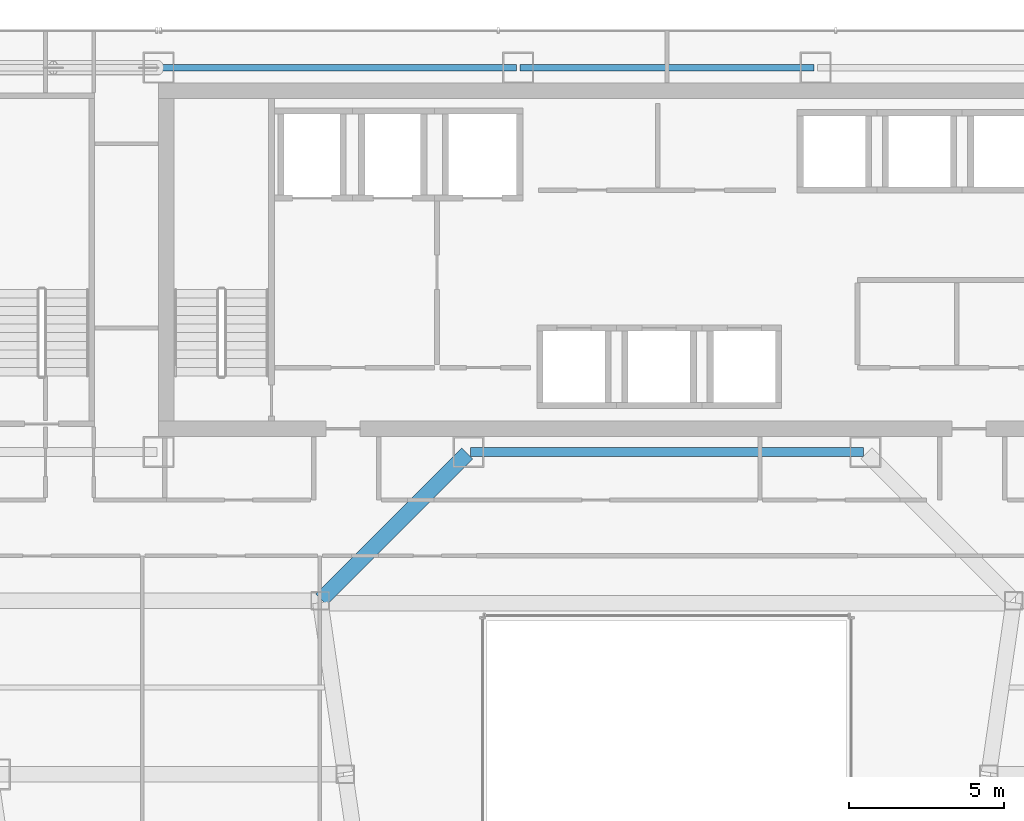
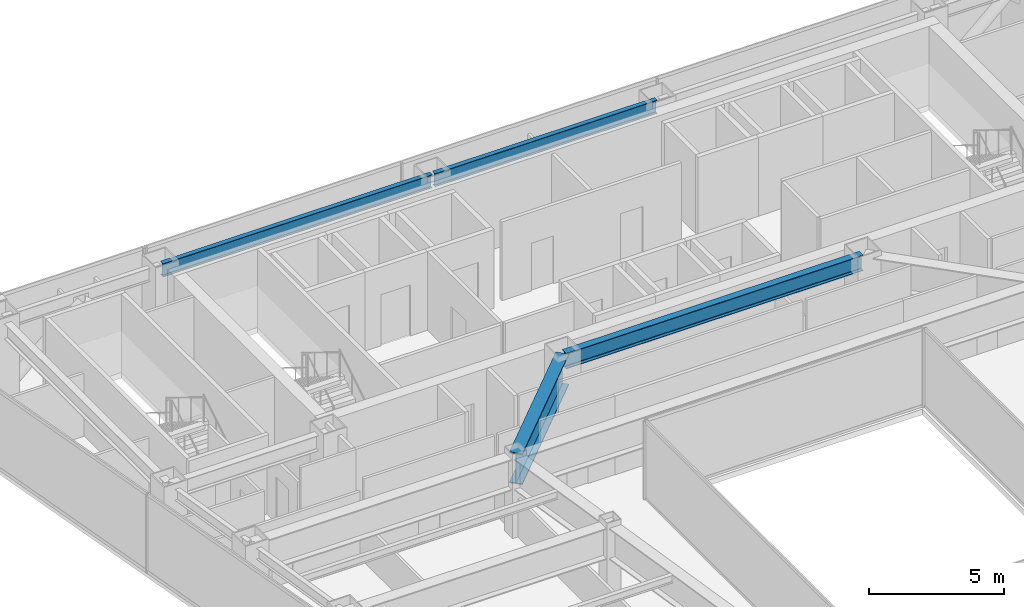
# One storey, part 21 of 37: 4 beams.
"""IFC4 building model written with IfcOpenShell, lengths in metres."""

import ifcopenshell
import ifcopenshell.guid

model = None  # the IFC model being written
_history = None  # IfcOwnerHistory: only IFC2X3 demands one
_inside = {}  # id of a spatial element -> (the spatial element, [elements in it])
_under = {}  # id of a project, library or spatial element -> (it, [spatial elements below it])
_declared = {}  # id of a project -> (the project, [libraries it declares])
_typed = {}  # id of a type object -> (the type object, [elements of that type])
_made_of = {}  # id of a material, layer set ... -> (it, [elements and type objects made of it])


def new_model(schema):
    """Start an empty IFC model of exactly this schema.

    Asked for "IFC4X3", IfcOpenShell would pick the latest addendum, in which some entities
    have other attributes; the version numbers below select the first issue.
    IFC2X3 requires an IfcOwnerHistory on every rooted entity: one is made here for all.
    """
    global model, _history
    if schema == "IFC4X3":
        model = ifcopenshell.file(schema_version=(4, 3, 0, 0))
    else:
        model = ifcopenshell.file(schema=schema)
    _inside.clear()
    _under.clear()
    _declared.clear()
    _typed.clear()
    _made_of.clear()
    _history = None
    if model.schema == "IFC2X3":
        org = make("IfcOrganization", Name="unknown")
        user = make(
            "IfcPersonAndOrganization",
            ThePerson=make("IfcPerson", FamilyName="unknown"),
            TheOrganization=org,
        )
        app = make(
            "IfcApplication",
            ApplicationDeveloper=org,
            Version="unknown",
            ApplicationFullName="unknown",
            ApplicationIdentifier="unknown",
        )
        _history = make(
            "IfcOwnerHistory",
            OwningUser=user,
            OwningApplication=app,
            ChangeAction="ADDED",
            CreationDate=0,
        )
    return model


def make(cls, **values):
    """One entity of the class cls with the attributes given. An attribute that is None is left unset."""
    return model.create_entity(
        cls, **{name: value for name, value in values.items() if value is not None}
    )


def rooted(cls, **values):
    """An entity with a GlobalId (a new one), such as an element, a storey or a relation."""
    return make(cls, GlobalId=ifcopenshell.guid.new(), OwnerHistory=_history, **values)


def si_unit(unit_type, name, prefix=None):
    """IfcSIUnit, for example si_unit("LENGTHUNIT", "METRE", prefix="MILLI")."""
    return make("IfcSIUnit", UnitType=unit_type, Prefix=prefix, Name=name)


def assignment(units):
    """IfcUnitAssignment: the units of a project."""
    return None if units is None else make("IfcUnitAssignment", Units=units)


def point(xyz):
    """IfcCartesianPoint."""
    return None if xyz is None else make("IfcCartesianPoint", Coordinates=xyz)


def direction(xyz):
    """IfcDirection."""
    return None if xyz is None else make("IfcDirection", DirectionRatios=xyz)


def frame(location, z_axis=None, x_axis=None):
    """IfcAxis2Placement3D, a coordinate frame: its origin and axes. An axis left out is left unset."""
    return make(
        "IfcAxis2Placement3D",
        Location=point(location),
        Axis=direction(z_axis),
        RefDirection=direction(x_axis),
    )


def frame_2d(location, x_axis=None):
    """IfcAxis2Placement2D, a coordinate frame in the plane: its origin and x axis."""
    return make(
        "IfcAxis2Placement2D", Location=point(location), RefDirection=direction(x_axis)
    )


def origin():
    """The frame at (0, 0, 0) with its axes left unset."""
    return frame((0.0, 0.0, 0.0))


def origin_2d():
    """The frame at (0, 0) in the plane with its x axis left unset."""
    return frame_2d((0.0, 0.0))


def place(relative_to, where):
    """IfcLocalPlacement: puts the frame where relative to a parent placement (None: the world)."""
    return make(
        "IfcLocalPlacement", PlacementRelTo=relative_to, RelativePlacement=where
    )


def context(
    kind, dimensions, precision=None, world=None, true_north=None, identifier=None
):
    """IfcGeometricRepresentationContext, for example the 3D "Model" context."""
    return make(
        "IfcGeometricRepresentationContext",
        ContextIdentifier=identifier,
        ContextType=kind,
        CoordinateSpaceDimension=dimensions,
        Precision=precision,
        WorldCoordinateSystem=world,
        TrueNorth=true_north,
    )


def subcontext(parent, identifier, kind, view, scale=None):
    """IfcGeometricRepresentationSubContext, for example "Body" below "Model"."""
    return make(
        "IfcGeometricRepresentationSubContext",
        ContextIdentifier=identifier,
        ContextType=kind,
        ParentContext=parent,
        TargetScale=scale,
        TargetView=view,
    )


def project(units=None, contexts=None):
    """IfcProject with its units and contexts."""
    return rooted(
        "IfcProject",
        Name="project",
        RepresentationContexts=contexts,
        UnitsInContext=assignment(units),
    )


def spatial(cls, under=None, at=None, **own):
    """A site, building, storey or space (cls), placed at a placement, below another one or the project."""
    s = rooted(cls, ObjectPlacement=at, **own)
    if under is not None:
        _under.setdefault(under.id(), (under, []))[1].append(s)
    return s


def profile(cls, at=None, kind="AREA", **sizes):
    """A parametric profile (cls). Its sizes go by their IFC names, for example OverallWidth=200.0."""
    return make(cls, ProfileType=kind, Position=at, **sizes)


def i_section(**sizes):
    """IfcIShapeProfileDef."""
    return profile("IfcIShapeProfileDef", **sizes)


def extrude(swept, where, along, depth):
    """IfcExtrudedAreaSolid: the profile swept, set in the frame where, extruded along a direction by depth."""
    return make(
        "IfcExtrudedAreaSolid",
        SweptArea=swept,
        Position=where,
        ExtrudedDirection=direction(along),
        Depth=depth,
    )


def shape(context_of_items, identifier, shape_type, items):
    """IfcShapeRepresentation: the items that make up one representation, for example the "Body"."""
    return make(
        "IfcShapeRepresentation",
        ContextOfItems=context_of_items,
        RepresentationIdentifier=identifier,
        RepresentationType=shape_type,
        Items=items,
    )


def material(Name=None, Category=None):
    """IfcMaterial."""
    return make("IfcMaterial", Name=Name, Category=Category)


def material_profile(
    of_material, cross_section, Name=None, Category=None, Priority=None
):
    """IfcMaterialProfile: a cross section and its material."""
    return make(
        "IfcMaterialProfile",
        Name=Name,
        Material=of_material,
        Profile=cross_section,
        Priority=Priority,
        Category=Category,
    )


def profile_set(profiles, Name=None, composite=None):
    """IfcMaterialProfileSet."""
    return make(
        "IfcMaterialProfileSet",
        Name=Name,
        MaterialProfiles=profiles,
        CompositeProfile=composite,
    )


def made_of(thing, what):
    """Note that an element or type object is made of a material, layer set ...; save() writes the relation."""
    if what is not None:
        _made_of.setdefault(what.id(), (what, []))[1].append(thing)
    return thing


def type_object(cls, material=None, **own):
    """A type object (cls), such as IfcWallType, which elements share."""
    return made_of(rooted(cls, **own), material)


def element(
    cls,
    number,
    at=None,
    inside=None,
    cuts=None,
    type_object=None,
    material=None,
    context=None,
    identifier="Body",
    shape_type=None,
    held_by="IfcProductDefinitionShape",
    body=None,
    shapes=None,
    **own,
):
    """One element of the class cls, such as IfcWall. Its Tag is "e" and its number.

    at: its placement. inside: the storey or other place that contains it. cuts: it is an
    opening in that element (IfcRelVoidsElement). A single representation is given by context,
    identifier, shape_type and body (its items); several are given by shapes. held_by: the class
    of the entity that holds the representations. save() writes the other relations.
    """
    e = rooted(cls, Tag="e%d" % number, ObjectPlacement=at, **own)
    if body is not None:
        shapes = [shape(context, identifier, shape_type, body)]
    if shapes is not None:
        e.Representation = make(held_by, Representations=shapes)
    if inside is not None:
        _inside.setdefault(inside.id(), (inside, []))[1].append(e)
    if cuts is not None:
        rooted(
            "IfcRelVoidsElement", RelatingBuildingElement=cuts, RelatedOpeningElement=e
        )
    if type_object is not None:
        _typed.setdefault(type_object.id(), (type_object, []))[1].append(e)
    return made_of(e, material)


def aggregate(whole, parts):
    """IfcRelAggregates: a whole, such as a stair, and the parts it consists of."""
    return rooted("IfcRelAggregates", RelatingObject=whole, RelatedObjects=parts)


def save(model, path):
    """Write the relations noted so far, then the file.

    IfcRelAggregates (storeys below a building ...), IfcRelContainedInSpatialStructure (elements
    in a storey), IfcRelDefinesByType, IfcRelAssociatesMaterial and IfcRelDeclares: one each for
    every whole, place, type object, material and project.
    """
    for whole, parts in _under.values():
        aggregate(whole, parts)
    for where, things in _inside.values():
        rooted(
            "IfcRelContainedInSpatialStructure",
            RelatedElements=things,
            RelatingStructure=where,
        )
    for kind, things in _typed.values():
        rooted("IfcRelDefinesByType", RelatedObjects=things, RelatingType=kind)
    for what, things in _made_of.values():
        rooted("IfcRelAssociatesMaterial", RelatedObjects=things, RelatingMaterial=what)
    for by, libraries in _declared.values():
        rooted("IfcRelDeclares", RelatingContext=by, RelatedDefinitions=libraries)
    model.write(path)


model = new_model("IFC4")

# Units and contexts
model_context = context("Model", 3, precision=1e-05, world=origin(), true_north=direction((0.0, 1.0)))
body_context = subcontext(model_context, "Body", "Model", "MODEL_VIEW")
ifc_project = project(units=[si_unit("LENGTHUNIT", "METRE"), si_unit("AREAUNIT", "SQUARE_METRE"), si_unit("VOLUMEUNIT", "CUBIC_METRE"), si_unit("PLANEANGLEUNIT", "RADIAN"), si_unit("MASSUNIT", "GRAM", prefix="KILO")], contexts=[model_context])

# Site, building, storey
site_placement = place(None, origin())
site = spatial("IfcSite", under=ifc_project, at=site_placement, CompositionType="ELEMENT")
building_placement = place(site_placement, origin())
building = spatial("IfcBuilding", under=site, at=building_placement, Name="Saevonmaru Cultural Tower", CompositionType="ELEMENT")
storey_placement = place(building_placement, frame((0.0, 0.0, 163.800048828125)))
storey = spatial("IfcBuildingStorey", under=building, at=storey_placement, Name="L36", CompositionType="ELEMENT", Elevation=163.800048828125)

# Beams
ifc_material_1 = material(Name="Steel SM355", Category="steel")
ifc_material_profile_1 = material_profile(ifc_material_1, i_section(OverallWidth=0.300048828125, OverallDepth=0.699951171875, WebThickness=0.012939453125, FlangeThickness=0.02392578125, FilletRadius=0.02587890625, at=origin_2d()), Name="H-700x300x13x24")
ifc_profile_set_1 = profile_set([ifc_material_profile_1], Name="Steel SM355")
beam_type_1 = type_object("IfcBeamType", Name="BM-G-H700", PredefinedType="BEAM", material=ifc_profile_set_1)
beam_1_placement = place(storey_placement, frame((23.659912109375, 42.39990234375, 3.199951171875), z_axis=(1.0, 0.0, 0.0), x_axis=(0.0, 1.0, 0.0)))
element("IfcBeam", 1, at=beam_1_placement, inside=storey, type_object=beam_type_1, Name="L36 Core South Girder 3", PredefinedType="BEAM", context=body_context, shape_type="SweptSolid", body=[
    extrude(i_section(OverallWidth=0.300048828125, OverallDepth=0.699951171875, WebThickness=0.012939453125, FlangeThickness=0.02392578125, FilletRadius=0.02587890625, at=origin_2d()), origin(), (0.0, 0.0, 1.0), 12.68017578125),
])
ifc_material_profile_2 = material_profile(ifc_material_1, i_section(OverallWidth=0.199951171875, OverallDepth=0.60009765625, WebThickness=0.010986328125, FlangeThickness=0.01708984375, FilletRadius=0.02197265625, at=origin_2d()), Name="H-600x200x11x17")
ifc_profile_set_2 = profile_set([ifc_material_profile_2], Name="Steel SM355")
beam_type_2 = type_object("IfcBeamType", Name="BM-SP-H600", PredefinedType="SPANDREL", material=ifc_profile_set_2)
beam_2_placement = place(storey_placement, frame((13.659912109375, 54.800048828125, 3.25), z_axis=(1.0, 0.0, 0.0), x_axis=(0.0, 1.0, 0.0)))
element("IfcBeam", 2, at=beam_2_placement, inside=storey, type_object=beam_type_2, Name="L36 North Spine Girder 2", PredefinedType="SPANDREL", context=body_context, shape_type="SweptSolid", body=[
    extrude(i_section(OverallWidth=0.199951171875, OverallDepth=0.60009765625, WebThickness=0.010986328125, FlangeThickness=0.01708984375, FilletRadius=0.02197265625, at=origin_2d()), origin(), (0.0, 0.0, 1.0), 11.47998046875),
])
beam_3_placement = place(storey_placement, frame((25.260009765625, 54.800048828125, 3.25), z_axis=(1.0, 0.0, 0.0), x_axis=(0.0, 1.0, 0.0)))
element("IfcBeam", 3, at=beam_3_placement, inside=storey, type_object=beam_type_2, Name="L36 North Spine Girder 3", PredefinedType="SPANDREL", context=body_context, shape_type="SweptSolid", body=[
    extrude(i_section(OverallWidth=0.199951171875, OverallDepth=0.60009765625, WebThickness=0.010986328125, FlangeThickness=0.01708984375, FilletRadius=0.02197265625, at=origin_2d()), origin(), (0.0, 0.0, 1.0), 9.47998046875),
])
ifc_material_2 = material(Name="Steel HSA600 (600 MPa)", Category="steel")
ifc_material_profile_3 = material_profile(ifc_material_2, i_section(OverallWidth=0.5, OverallDepth=1.39990234375, WebThickness=0.02392578125, FlangeThickness=0.044921875, at=origin_2d()), Name="PG-1400x500x24x45")
ifc_profile_set_3 = profile_set([ifc_material_profile_3], Name="Steel HSA600 (600 MPa)")
beam_type_3 = type_object("IfcBeamType", Name="BM-TG-PG1400", PredefinedType="BEAM", material=ifc_profile_set_3)
beam_4_placement = place(storey_placement, frame((18.850341796875, 37.642578125, 2.849853515625), z_axis=(0.706538566564, 0.707674539572, 0.0), x_axis=(-0.707674539572, 0.706538566564, 0.0)))
element("IfcBeam", 4, at=beam_4_placement, inside=storey, type_object=beam_type_3, Name="L36 West Atrium Girder 5", PredefinedType="BEAM", context=body_context, shape_type="SweptSolid", body=[
    extrude(i_section(OverallWidth=0.5, OverallDepth=1.39990234375, WebThickness=0.02392578125, FlangeThickness=0.044921875, at=origin_2d()), origin(), (0.0, 0.0, 1.0), 6.662353515625),
])

save(model, "model.ifc")
